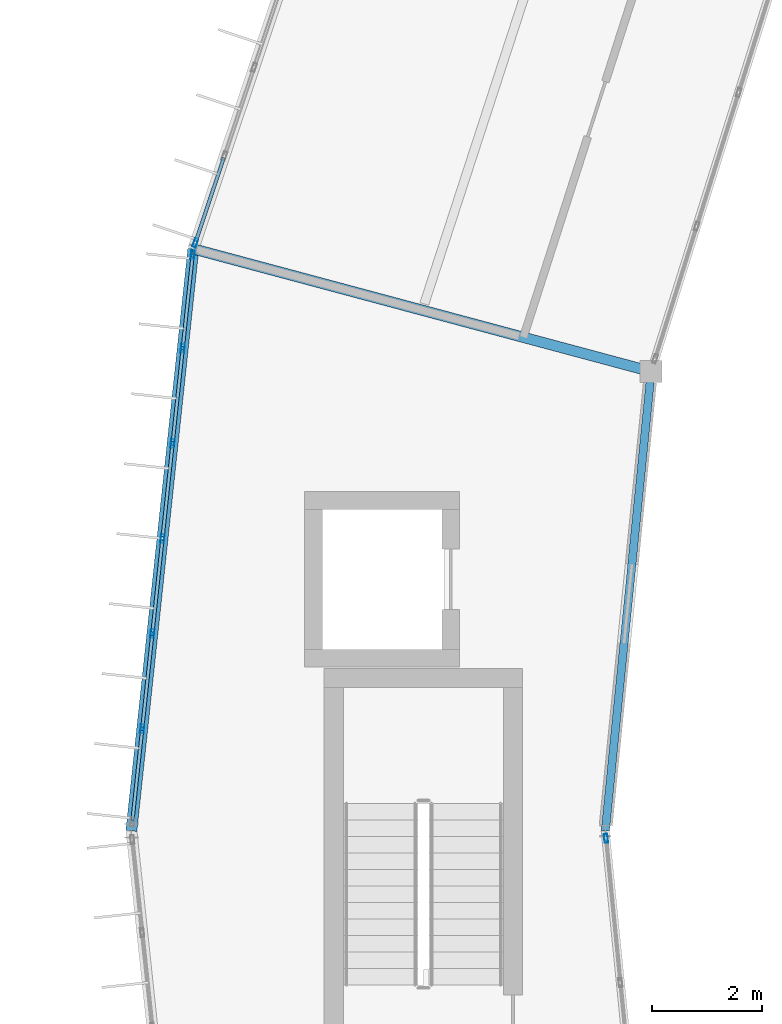
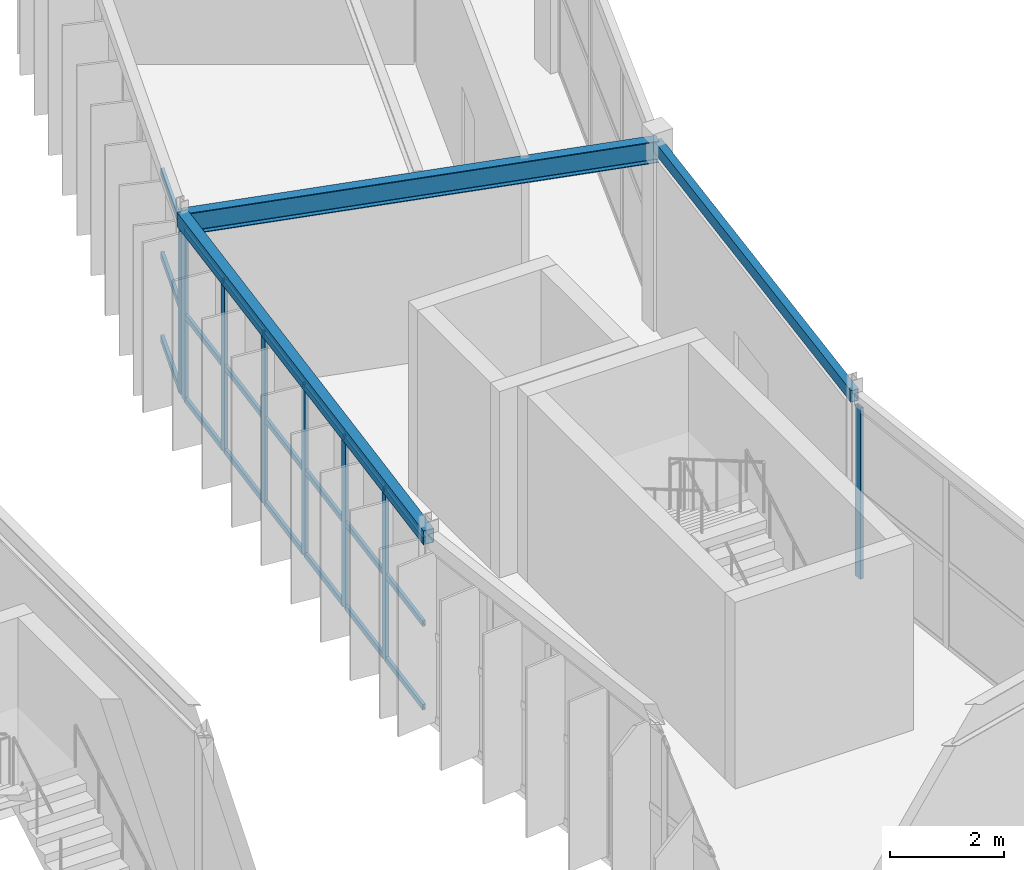
# One storey, part 52 of 157: 29 members, 3 beams, 3 elements without a shape of their own.
"""IFC4 building model written with IfcOpenShell, lengths in metres."""

from ifc_helpers import new_model, si_unit, direction, frame, origin, origin_2d, place, context, subcontext, project, spatial, hollow_rectangle, i_section, extrude, material, material_profile, profile_set, type_object, element, aggregate, save


model = new_model("IFC4")

# Units and contexts
model_context = context("Model", 3, precision=1e-05, world=origin(), true_north=direction((0.0, 1.0)))
body_context = subcontext(model_context, "Body", "Model", "MODEL_VIEW")
ifc_project = project(units=[si_unit("LENGTHUNIT", "METRE"), si_unit("AREAUNIT", "SQUARE_METRE"), si_unit("VOLUMEUNIT", "CUBIC_METRE"), si_unit("PLANEANGLEUNIT", "RADIAN"), si_unit("MASSUNIT", "GRAM", prefix="KILO")], contexts=[model_context])

# Site, building, storey
site_placement = place(None, origin())
site = spatial("IfcSite", under=ifc_project, at=site_placement, CompositionType="ELEMENT")
building_placement = place(site_placement, origin())
building = spatial("IfcBuilding", under=site, at=building_placement, Name="Karori Crest Natural Sciences Institute", CompositionType="ELEMENT")
storey_placement = place(building_placement, frame((0.0, 0.0, 13.300048828125)))
storey = spatial("IfcBuildingStorey", under=building, at=storey_placement, Name="L03", CompositionType="ELEMENT", Elevation=13.300048828125)

# Beams
ifc_material_1 = material(Name="Structural steel AS/NZS 3679.1 Grade 350", Category="steel")
ifc_material_profile_1 = material_profile(ifc_material_1, i_section(OverallWidth=0.19091796875, OverallDepth=0.4599609375, WebThickness=0.010009765625, FlangeThickness=0.01611328125, FilletRadius=0.010986328125, at=origin_2d()), Name="460UB82.1")
ifc_profile_set_1 = profile_set([ifc_material_profile_1], Name="Structural steel AS/NZS 3679.1 Grade 350")
beam_type_1 = type_object("IfcBeamType", Name="BT-06", PredefinedType="BEAM", material=ifc_profile_set_1)
beam_1_placement = place(storey_placement, frame((42.831298828125, 58.23388671875, 3.7099609375), z_axis=(-0.965925622404, 0.258819806009, 0.0), x_axis=(-0.258819806009, -0.965925622404, 0.0)))
element("IfcBeam", 1, at=beam_1_placement, inside=storey, type_object=beam_type_1, Name="Beam B-0405", PredefinedType="BEAM", context=body_context, shape_type="SweptSolid", body=[
    extrude(i_section(OverallWidth=0.19091796875, OverallDepth=0.4599609375, WebThickness=0.010009765625, FlangeThickness=0.01611328125, FilletRadius=0.010986328125, at=origin_2d()), origin(), (0.0, 0.0, 1.0), 8.599853515625),
])
ifc_material_2 = material(Name="Hollow structural steel AS/NZS 1163 Grade C350", Category="steel")
ifc_material_profile_2 = material_profile(ifc_material_2, hollow_rectangle(XDim=0.199951171875, YDim=0.300048828125, WallThickness=0.010009765625, at=origin_2d()), Name="RHS300x200x10")
ifc_profile_set_2 = profile_set([ifc_material_profile_2], Name="Hollow structural steel AS/NZS 1163 Grade C350")
beam_type_2 = type_object("IfcBeamType", Name="BT-15", PredefinedType="SPANDREL", material=ifc_profile_set_2)
beam_2_placement = place(storey_placement, frame((34.5244140625, 60.459716796875, 3.7900390625), z_axis=(-0.105891010563, -0.994377742049, 0.0), x_axis=(0.994377742049, -0.105891010563, 0.0)))
element("IfcBeam", 2, at=beam_2_placement, inside=storey, type_object=beam_type_2, Name="Beam B-0403", PredefinedType="SPANDREL", context=body_context, shape_type="SweptSolid", body=[
    extrude(hollow_rectangle(XDim=0.199951171875, YDim=0.300048828125, WallThickness=0.010009765625, at=origin_2d()), origin(), (0.0, 0.0, 1.0), 10.61962890625),
])
ifc_material_profile_3 = material_profile(ifc_material_2, hollow_rectangle(XDim=0.14990234375, YDim=0.25, WallThickness=0.009033203125, at=origin_2d()), Name="RHS250x150x9")
ifc_profile_set_3 = profile_set([ifc_material_profile_3], Name="Hollow structural steel AS/NZS 1163 Grade C350")
beam_type_3 = type_object("IfcBeamType", Name="BT-16", PredefinedType="SPANDREL", material=ifc_profile_set_3)
beam_3_placement = place(storey_placement, frame((42.831298828125, 58.23388671875, 3.7900390625), z_axis=(-0.099255508608, -0.995061979985, 0.0), x_axis=(0.995061979985, -0.099255508608, 0.0)))
element("IfcBeam", 3, at=beam_3_placement, inside=storey, type_object=beam_type_3, Name="Beam B-0404", PredefinedType="SPANDREL", context=body_context, shape_type="SweptSolid", body=[
    extrude(hollow_rectangle(XDim=0.14990234375, YDim=0.25, WallThickness=0.009033203125, at=origin_2d()), origin(), (0.0, 0.0, 1.0), 8.375244140625),
])

# Curtain wall, member
ifc_material_3 = material(Name="Anodised architectural aluminium 6063-T6", Category="aluminium")
curtain_wall_type_1 = type_object("IfcCurtainWallType", Name="CWT-01", PredefinedType="NOTDEFINED", material=ifc_material_3)
curtain_wall_1_placement = place(storey_placement, origin())
curtain_wall_1 = element("IfcCurtainWall", 4, at=curtain_wall_1_placement, inside=storey, type_object=curtain_wall_type_1, Name="Curtain wall CW-0115", PredefinedType="NOTDEFINED")
ifc_material_profile_4 = material_profile(ifc_material_3, hollow_rectangle(XDim=0.06494140625, YDim=0.159912109375, WallThickness=0.00390625, at=origin_2d()), Name="CWM160x65x4")
ifc_profile_set_4 = profile_set([ifc_material_profile_4], Name="Anodised architectural aluminium 6063-T6")
member_type_1 = type_object("IfcMemberType", Name="CWM-01", PredefinedType="MULLION", material=ifc_profile_set_4)
member_1_placement = place(storey_placement, frame((34.561279296875, 60.56982421875, 0.0), z_axis=(0.0, 0.0, 1.0), x_axis=(-0.94819805026, 0.317679803392, 0.0)))
member_1 = element("IfcMember", 5, at=member_1_placement, type_object=member_type_1, Name="CW-0115 mullion 1", PredefinedType="MULLION", context=body_context, shape_type="SweptSolid", body=[
    extrude(hollow_rectangle(XDim=0.06494140625, YDim=0.159912109375, WallThickness=0.00390625, at=origin_2d()), origin(), (0.0, 0.0, 1.0), 3.625),
])

# Curtain wall, members
curtain_wall_type_2 = type_object("IfcCurtainWallType", Name="CWT-02", PredefinedType="NOTDEFINED", material=ifc_material_3)
curtain_wall_2_placement = place(storey_placement, origin())
curtain_wall_2 = element("IfcCurtainWall", 6, at=curtain_wall_2_placement, inside=storey, type_object=curtain_wall_type_2, Name="Curtain wall CW-0117", PredefinedType="NOTDEFINED")
member_2_placement = place(storey_placement, frame((33.597412109375, 51.75341796875, 0.0), z_axis=(0.0, 0.0, 1.0), x_axis=(-0.994378309998, 0.105885677057, 0.0)))
member_2 = element("IfcMember", 7, at=member_2_placement, type_object=member_type_1, Name="CW-0117 mullion 2", PredefinedType="MULLION", context=body_context, shape_type="SweptSolid", body=[
    extrude(hollow_rectangle(XDim=0.06494140625, YDim=0.159912109375, WallThickness=0.00390625, at=origin_2d()), origin(), (0.0, 0.0, 1.0), 3.625),
])
member_3_placement = place(storey_placement, frame((33.781005859375, 53.47900390625, 0.0), z_axis=(0.0, 0.0, 1.0), x_axis=(-0.994378309998, 0.105885677057, 0.0)))
member_3 = element("IfcMember", 8, at=member_3_placement, type_object=member_type_1, Name="CW-0117 mullion 3", PredefinedType="MULLION", context=body_context, shape_type="SweptSolid", body=[
    extrude(hollow_rectangle(XDim=0.06494140625, YDim=0.159912109375, WallThickness=0.00390625, at=origin_2d()), origin(), (0.0, 0.0, 1.0), 3.625),
])
member_4_placement = place(storey_placement, frame((33.96484375, 55.204345703125, 0.0), z_axis=(0.0, 0.0, 1.0), x_axis=(-0.994378309998, 0.105885677057, 0.0)))
member_4 = element("IfcMember", 9, at=member_4_placement, type_object=member_type_1, Name="CW-0117 mullion 4", PredefinedType="MULLION", context=body_context, shape_type="SweptSolid", body=[
    extrude(hollow_rectangle(XDim=0.06494140625, YDim=0.159912109375, WallThickness=0.00390625, at=origin_2d()), origin(), (0.0, 0.0, 1.0), 3.625),
])
member_5_placement = place(storey_placement, frame((34.1484375, 56.9296875, 0.0), z_axis=(0.0, 0.0, 1.0), x_axis=(-0.994378309998, 0.105885677057, 0.0)))
member_5 = element("IfcMember", 10, at=member_5_placement, type_object=member_type_1, Name="CW-0117 mullion 5", PredefinedType="MULLION", context=body_context, shape_type="SweptSolid", body=[
    extrude(hollow_rectangle(XDim=0.06494140625, YDim=0.159912109375, WallThickness=0.00390625, at=origin_2d()), origin(), (0.0, 0.0, 1.0), 3.625),
])
member_6_placement = place(storey_placement, frame((34.332275390625, 58.6552734375, 0.0), z_axis=(0.0, 0.0, 1.0), x_axis=(-0.994378309998, 0.105885677057, 0.0)))
member_6 = element("IfcMember", 11, at=member_6_placement, type_object=member_type_1, Name="CW-0117 mullion 6", PredefinedType="MULLION", context=body_context, shape_type="SweptSolid", body=[
    extrude(hollow_rectangle(XDim=0.06494140625, YDim=0.159912109375, WallThickness=0.00390625, at=origin_2d()), origin(), (0.0, 0.0, 1.0), 3.625),
])
member_7_placement = place(storey_placement, frame((34.512451171875, 60.348388671875, 0.0), z_axis=(0.0, 0.0, 1.0), x_axis=(-0.994378309998, 0.105885677057, 0.0)))
member_7 = element("IfcMember", 12, at=member_7_placement, type_object=member_type_1, Name="CW-0117 mullion 7", PredefinedType="MULLION", context=body_context, shape_type="SweptSolid", body=[
    extrude(hollow_rectangle(XDim=0.06494140625, YDim=0.159912109375, WallThickness=0.00390625, at=origin_2d()), origin(), (0.0, 0.0, 1.0), 3.625),
])

# Curtain wall, member
curtain_wall_type_3 = type_object("IfcCurtainWallType", Name="CWT-13", PredefinedType="NOTDEFINED", material=ifc_material_3)
curtain_wall_3_placement = place(storey_placement, origin())
curtain_wall_3 = element("IfcCurtainWall", 13, at=curtain_wall_3_placement, inside=storey, type_object=curtain_wall_type_3, Name="Curtain wall CW-0119", PredefinedType="NOTDEFINED")
member_8_placement = place(storey_placement, frame((42.013427734375, 49.7646484375, 0.0), z_axis=(0.0, 0.0, 1.0), x_axis=(0.995060684604, 0.099268494275, 0.0)))
member_8 = element("IfcMember", 14, at=member_8_placement, type_object=member_type_1, Name="CW-0119 mullion 1", PredefinedType="MULLION", context=body_context, shape_type="SweptSolid", body=[
    extrude(hollow_rectangle(XDim=0.06494140625, YDim=0.159912109375, WallThickness=0.00390625, at=origin_2d()), origin(), (0.0, 0.0, 1.0), 3.64990234375),
])
aggregate(curtain_wall_3, [member_8])

# Member
ifc_material_profile_5 = material_profile(ifc_material_3, hollow_rectangle(XDim=0.06005859375, YDim=0.1201171875, WallThickness=0.00390625, at=origin_2d()), Name="CWT120x60x4")
ifc_profile_set_5 = profile_set([ifc_material_profile_5], Name="Anodised architectural aluminium 6063-T6")
member_type_2 = type_object("IfcMemberType", Name="CWT-TR1", PredefinedType="USERDEFINED", material=ifc_profile_set_5)
member_9_placement = place(storey_placement, frame((33.42041015625, 50.092529296875, 0.030029296875), z_axis=(0.1059804823, 0.994368210157, 0.0), x_axis=(-0.994368210157, 0.1059804823, 0.0)))
member_9 = element("IfcMember", 15, at=member_9_placement, type_object=member_type_2, Name="CW-0117 transom 1.1", ObjectType="TRANSOM", PredefinedType="USERDEFINED", context=body_context, shape_type="SweptSolid", body=[
    extrude(hollow_rectangle(XDim=0.06005859375, YDim=0.1201171875, WallThickness=0.00390625, at=origin_2d()), origin(), (0.0, 0.0, 1.0), 1.637939453125),
])

member_10_placement = place(storey_placement, frame((33.42041015625, 50.092529296875, 1.8125), z_axis=(0.1059804823, 0.994368210157, 0.0), x_axis=(-0.994368210157, 0.1059804823, 0.0)))
member_10 = element("IfcMember", 16, at=member_10_placement, type_object=member_type_2, Name="CW-0117 transom 1.2", ObjectType="TRANSOM", PredefinedType="USERDEFINED", context=body_context, shape_type="SweptSolid", body=[
    extrude(hollow_rectangle(XDim=0.06005859375, YDim=0.1201171875, WallThickness=0.00390625, at=origin_2d()), origin(), (0.0, 0.0, 1.0), 1.637939453125),
])

member_11_placement = place(storey_placement, frame((33.42041015625, 50.092529296875, 3.594970703125), z_axis=(0.1059804823, 0.994368210157, 0.0), x_axis=(-0.994368210157, 0.1059804823, 0.0)))
member_11 = element("IfcMember", 17, at=member_11_placement, type_object=member_type_2, Name="CW-0117 transom 1.3", ObjectType="TRANSOM", PredefinedType="USERDEFINED", context=body_context, shape_type="SweptSolid", body=[
    extrude(hollow_rectangle(XDim=0.06005859375, YDim=0.1201171875, WallThickness=0.00390625, at=origin_2d()), origin(), (0.0, 0.0, 1.0), 1.637939453125),
])

member_12_placement = place(storey_placement, frame((33.600830078125, 51.785888671875, 0.030029296875), z_axis=(0.105841415473, 0.994383022165, 0.0), x_axis=(-0.994383022165, 0.105841415473, 0.0)))
member_12 = element("IfcMember", 18, at=member_12_placement, type_object=member_type_2, Name="CW-0117 transom 2.1", ObjectType="TRANSOM", PredefinedType="USERDEFINED", context=body_context, shape_type="SweptSolid", body=[
    extrude(hollow_rectangle(XDim=0.06005859375, YDim=0.1201171875, WallThickness=0.00390625, at=origin_2d()), origin(), (0.0, 0.0, 1.0), 1.669921875),
])

member_13_placement = place(storey_placement, frame((33.600830078125, 51.785888671875, 1.8125), z_axis=(0.105841415473, 0.994383022165, 0.0), x_axis=(-0.994383022165, 0.105841415473, 0.0)))
member_13 = element("IfcMember", 19, at=member_13_placement, type_object=member_type_2, Name="CW-0117 transom 2.2", ObjectType="TRANSOM", PredefinedType="USERDEFINED", context=body_context, shape_type="SweptSolid", body=[
    extrude(hollow_rectangle(XDim=0.06005859375, YDim=0.1201171875, WallThickness=0.00390625, at=origin_2d()), origin(), (0.0, 0.0, 1.0), 1.669921875),
])

member_14_placement = place(storey_placement, frame((33.600830078125, 51.785888671875, 3.594970703125), z_axis=(0.105841415473, 0.994383022165, 0.0), x_axis=(-0.994383022165, 0.105841415473, 0.0)))
member_14 = element("IfcMember", 20, at=member_14_placement, type_object=member_type_2, Name="CW-0117 transom 2.3", ObjectType="TRANSOM", PredefinedType="USERDEFINED", context=body_context, shape_type="SweptSolid", body=[
    extrude(hollow_rectangle(XDim=0.06005859375, YDim=0.1201171875, WallThickness=0.00390625, at=origin_2d()), origin(), (0.0, 0.0, 1.0), 1.669921875),
])

member_15_placement = place(storey_placement, frame((33.784423828125, 53.51123046875, 0.030029296875), z_axis=(0.105970559906, 0.994369267643, 0.0), x_axis=(-0.994369267643, 0.105970559906, 0.0)))
member_15 = element("IfcMember", 21, at=member_15_placement, type_object=member_type_2, Name="CW-0117 transom 3.1", ObjectType="TRANSOM", PredefinedType="USERDEFINED", context=body_context, shape_type="SweptSolid", body=[
    extrude(hollow_rectangle(XDim=0.06005859375, YDim=0.1201171875, WallThickness=0.00390625, at=origin_2d()), origin(), (0.0, 0.0, 1.0), 1.67041015625),
])

member_16_placement = place(storey_placement, frame((33.784423828125, 53.51123046875, 1.8125), z_axis=(0.105970559906, 0.994369267643, 0.0), x_axis=(-0.994369267643, 0.105970559906, 0.0)))
member_16 = element("IfcMember", 22, at=member_16_placement, type_object=member_type_2, Name="CW-0117 transom 3.2", ObjectType="TRANSOM", PredefinedType="USERDEFINED", context=body_context, shape_type="SweptSolid", body=[
    extrude(hollow_rectangle(XDim=0.06005859375, YDim=0.1201171875, WallThickness=0.00390625, at=origin_2d()), origin(), (0.0, 0.0, 1.0), 1.67041015625),
])

member_17_placement = place(storey_placement, frame((33.784423828125, 53.51123046875, 3.594970703125), z_axis=(0.105970559906, 0.994369267643, 0.0), x_axis=(-0.994369267643, 0.105970559906, 0.0)))
member_17 = element("IfcMember", 23, at=member_17_placement, type_object=member_type_2, Name="CW-0117 transom 3.3", ObjectType="TRANSOM", PredefinedType="USERDEFINED", context=body_context, shape_type="SweptSolid", body=[
    extrude(hollow_rectangle(XDim=0.06005859375, YDim=0.1201171875, WallThickness=0.00390625, at=origin_2d()), origin(), (0.0, 0.0, 1.0), 1.67041015625),
])

member_18_placement = place(storey_placement, frame((33.96826171875, 55.236572265625, 0.030029296875), z_axis=(0.105826031672, 0.994384659486, 0.0), x_axis=(-0.994384659486, 0.105826031672, 0.0)))
member_18 = element("IfcMember", 24, at=member_18_placement, type_object=member_type_2, Name="CW-0117 transom 4.1", ObjectType="TRANSOM", PredefinedType="USERDEFINED", context=body_context, shape_type="SweptSolid", body=[
    extrude(hollow_rectangle(XDim=0.06005859375, YDim=0.1201171875, WallThickness=0.00390625, at=origin_2d()), origin(), (0.0, 0.0, 1.0), 1.670166015625),
])

member_19_placement = place(storey_placement, frame((33.96826171875, 55.236572265625, 1.8125), z_axis=(0.105826031672, 0.994384659486, 0.0), x_axis=(-0.994384659486, 0.105826031672, 0.0)))
member_19 = element("IfcMember", 25, at=member_19_placement, type_object=member_type_2, Name="CW-0117 transom 4.2", ObjectType="TRANSOM", PredefinedType="USERDEFINED", context=body_context, shape_type="SweptSolid", body=[
    extrude(hollow_rectangle(XDim=0.06005859375, YDim=0.1201171875, WallThickness=0.00390625, at=origin_2d()), origin(), (0.0, 0.0, 1.0), 1.670166015625),
])

member_20_placement = place(storey_placement, frame((33.96826171875, 55.236572265625, 3.594970703125), z_axis=(0.105826031672, 0.994384659486, 0.0), x_axis=(-0.994384659486, 0.105826031672, 0.0)))
member_20 = element("IfcMember", 26, at=member_20_placement, type_object=member_type_2, Name="CW-0117 transom 4.3", ObjectType="TRANSOM", PredefinedType="USERDEFINED", context=body_context, shape_type="SweptSolid", body=[
    extrude(hollow_rectangle(XDim=0.06005859375, YDim=0.1201171875, WallThickness=0.00390625, at=origin_2d()), origin(), (0.0, 0.0, 1.0), 1.670166015625),
])

member_21_placement = place(storey_placement, frame((34.15185546875, 56.962158203125, 0.030029296875), z_axis=(0.105970559906, 0.994369267643, 0.0), x_axis=(-0.994369267643, 0.105970559906, 0.0)))
member_21 = element("IfcMember", 27, at=member_21_placement, type_object=member_type_2, Name="CW-0117 transom 5.1", ObjectType="TRANSOM", PredefinedType="USERDEFINED", context=body_context, shape_type="SweptSolid", body=[
    extrude(hollow_rectangle(XDim=0.06005859375, YDim=0.1201171875, WallThickness=0.00390625, at=origin_2d()), origin(), (0.0, 0.0, 1.0), 1.67041015625),
])

member_22_placement = place(storey_placement, frame((34.15185546875, 56.962158203125, 1.8125), z_axis=(0.105970559906, 0.994369267643, 0.0), x_axis=(-0.994369267643, 0.105970559906, 0.0)))
member_22 = element("IfcMember", 28, at=member_22_placement, type_object=member_type_2, Name="CW-0117 transom 5.2", ObjectType="TRANSOM", PredefinedType="USERDEFINED", context=body_context, shape_type="SweptSolid", body=[
    extrude(hollow_rectangle(XDim=0.06005859375, YDim=0.1201171875, WallThickness=0.00390625, at=origin_2d()), origin(), (0.0, 0.0, 1.0), 1.67041015625),
])

member_23_placement = place(storey_placement, frame((34.15185546875, 56.962158203125, 3.594970703125), z_axis=(0.105970559906, 0.994369267643, 0.0), x_axis=(-0.994369267643, 0.105970559906, 0.0)))
member_23 = element("IfcMember", 29, at=member_23_placement, type_object=member_type_2, Name="CW-0117 transom 5.3", ObjectType="TRANSOM", PredefinedType="USERDEFINED", context=body_context, shape_type="SweptSolid", body=[
    extrude(hollow_rectangle(XDim=0.06005859375, YDim=0.1201171875, WallThickness=0.00390625, at=origin_2d()), origin(), (0.0, 0.0, 1.0), 1.67041015625),
])

member_24_placement = place(storey_placement, frame((34.335693359375, 58.6875, 0.030029296875), z_axis=(0.105833094668, 0.994383907791, 0.0), x_axis=(-0.994383907791, 0.105833094668, 0.0)))
member_24 = element("IfcMember", 30, at=member_24_placement, type_object=member_type_2, Name="CW-0117 transom 6.1", ObjectType="TRANSOM", PredefinedType="USERDEFINED", context=body_context, shape_type="SweptSolid", body=[
    extrude(hollow_rectangle(XDim=0.06005859375, YDim=0.1201171875, WallThickness=0.00390625, at=origin_2d()), origin(), (0.0, 0.0, 1.0), 1.637939453125),
])

member_25_placement = place(storey_placement, frame((34.335693359375, 58.6875, 1.8125), z_axis=(0.105833094668, 0.994383907791, 0.0), x_axis=(-0.994383907791, 0.105833094668, 0.0)))
member_25 = element("IfcMember", 31, at=member_25_placement, type_object=member_type_2, Name="CW-0117 transom 6.2", ObjectType="TRANSOM", PredefinedType="USERDEFINED", context=body_context, shape_type="SweptSolid", body=[
    extrude(hollow_rectangle(XDim=0.06005859375, YDim=0.1201171875, WallThickness=0.00390625, at=origin_2d()), origin(), (0.0, 0.0, 1.0), 1.637939453125),
])

member_26_placement = place(storey_placement, frame((34.335693359375, 58.6875, 3.594970703125), z_axis=(0.105833094668, 0.994383907791, 0.0), x_axis=(-0.994383907791, 0.105833094668, 0.0)))
member_26 = element("IfcMember", 32, at=member_26_placement, type_object=member_type_2, Name="CW-0117 transom 6.3", ObjectType="TRANSOM", PredefinedType="USERDEFINED", context=body_context, shape_type="SweptSolid", body=[
    extrude(hollow_rectangle(XDim=0.06005859375, YDim=0.1201171875, WallThickness=0.00390625, at=origin_2d()), origin(), (0.0, 0.0, 1.0), 1.637939453125),
])

aggregate(curtain_wall_2, [member_2, member_3, member_4, member_5, member_6, member_7, member_9, member_10, member_11, member_12, member_13, member_14, member_15, member_16, member_17, member_18, member_19, member_20, member_21, member_22, member_23, member_24, member_25, member_26])

ifc_material_profile_6 = material_profile(ifc_material_3, hollow_rectangle(XDim=0.06494140625, YDim=0.14990234375, WallThickness=0.00390625, at=origin_2d()), Name="CWT150x65x4")
ifc_profile_set_6 = profile_set([ifc_material_profile_6], Name="Anodised architectural aluminium 6063-T6")
member_type_3 = type_object("IfcMemberType", Name="CWT-TR2", PredefinedType="USERDEFINED", material=ifc_profile_set_6)
member_27_placement = place(storey_placement, frame((34.571533203125, 60.6005859375, 0.032470703125), z_axis=(0.317695793379, 0.9481926929, 0.0), x_axis=(-0.9481926929, 0.317695793379, 0.0)))
member_27 = element("IfcMember", 33, at=member_27_placement, type_object=member_type_3, Name="CW-0115 transom 1.1", ObjectType="TRANSOM", PredefinedType="USERDEFINED", context=body_context, shape_type="SweptSolid", body=[
    extrude(hollow_rectangle(XDim=0.06494140625, YDim=0.14990234375, WallThickness=0.00390625, at=origin_2d()), origin(), (0.0, 0.0, 1.0), 1.59619140625),
])

member_28_placement = place(storey_placement, frame((34.571533203125, 60.6005859375, 1.8125), z_axis=(0.317695793379, 0.9481926929, 0.0), x_axis=(-0.9481926929, 0.317695793379, 0.0)))
member_28 = element("IfcMember", 34, at=member_28_placement, type_object=member_type_3, Name="CW-0115 transom 1.2", ObjectType="TRANSOM", PredefinedType="USERDEFINED", context=body_context, shape_type="SweptSolid", body=[
    extrude(hollow_rectangle(XDim=0.06494140625, YDim=0.14990234375, WallThickness=0.00390625, at=origin_2d()), origin(), (0.0, 0.0, 1.0), 1.59619140625),
])

member_29_placement = place(storey_placement, frame((34.571533203125, 60.6005859375, 3.592529296875), z_axis=(0.317695793379, 0.9481926929, 0.0), x_axis=(-0.9481926929, 0.317695793379, 0.0)))
member_29 = element("IfcMember", 35, at=member_29_placement, type_object=member_type_3, Name="CW-0115 transom 1.3", ObjectType="TRANSOM", PredefinedType="USERDEFINED", context=body_context, shape_type="SweptSolid", body=[
    extrude(hollow_rectangle(XDim=0.06494140625, YDim=0.14990234375, WallThickness=0.00390625, at=origin_2d()), origin(), (0.0, 0.0, 1.0), 1.59619140625),
])

aggregate(curtain_wall_1, [member_1, member_27, member_28, member_29])

save(model, "model.ifc")
